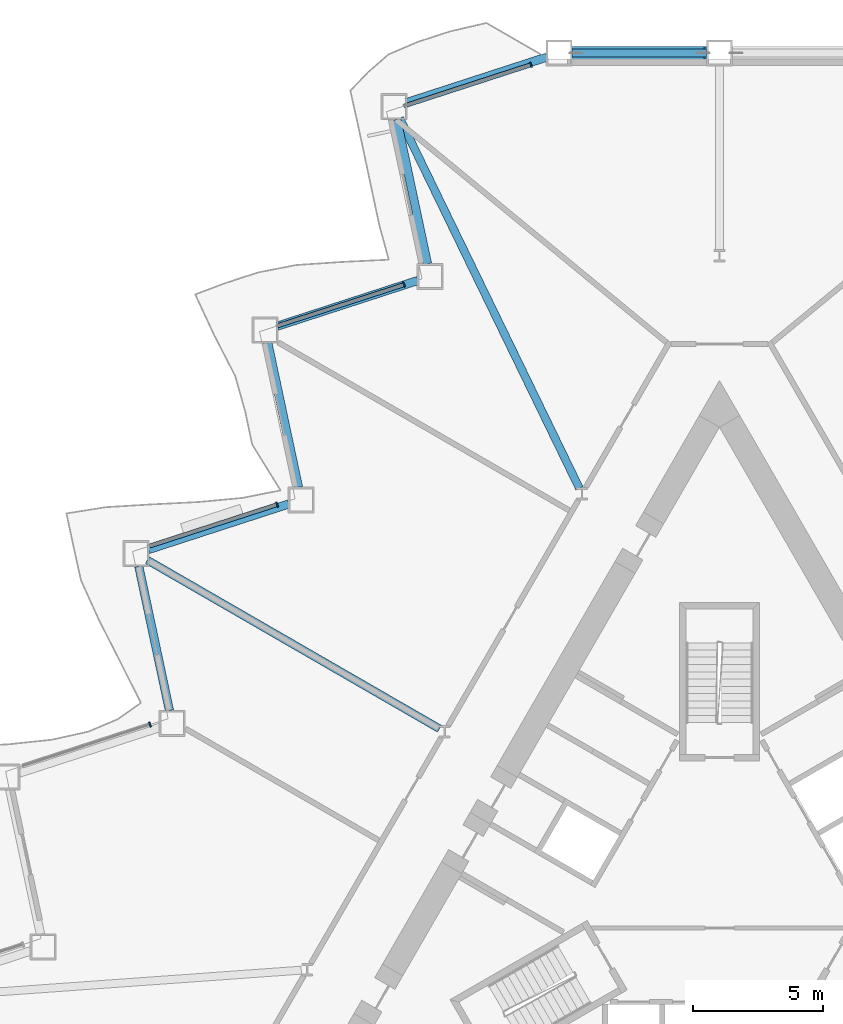
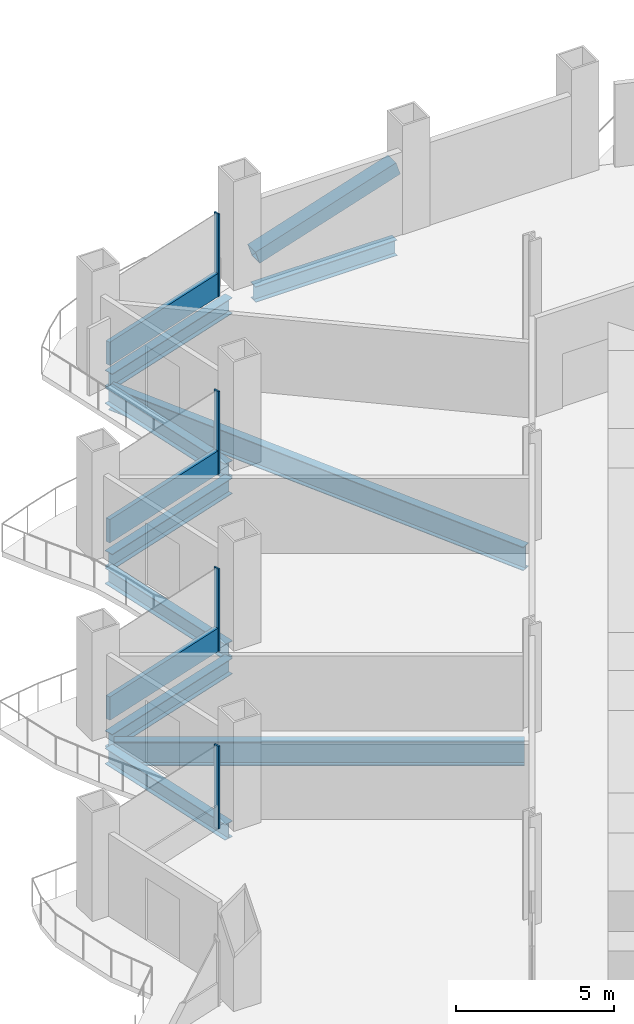
# One storey, part 6 of 20: 9 beams, 8 members, 4 elements without a shape of their own.
"""IFC4 building model written with IfcOpenShell, lengths in metres."""

from ifc_helpers import new_model, si_unit, direction, frame, origin, origin_2d, place, context, subcontext, project, spatial, rectangle, hollow_rectangle, i_section, extrude, material, layer, layer_set, material_profile, profile_set, type_object, element, aggregate, save


model = new_model("IFC4")

# Units and contexts
model_context = context("Model", 3, precision=1e-05, world=origin(), true_north=direction((0.0, 1.0)))
body_context = subcontext(model_context, "Body", "Model", "MODEL_VIEW")
ifc_project = project(units=[si_unit("LENGTHUNIT", "METRE"), si_unit("AREAUNIT", "SQUARE_METRE"), si_unit("VOLUMEUNIT", "CUBIC_METRE"), si_unit("PLANEANGLEUNIT", "RADIAN"), si_unit("MASSUNIT", "GRAM", prefix="KILO")], contexts=[model_context])

# Site, building, storey
site_placement = place(None, origin())
site = spatial("IfcSite", under=ifc_project, at=site_placement, CompositionType="ELEMENT")
building_placement = place(site_placement, origin())
building = spatial("IfcBuilding", under=site, at=building_placement, Name="Cormorant Prow Tower", CompositionType="ELEMENT")
storey_placement = place(building_placement, frame((0.0, 0.0, 55.199951171875)))
storey = spatial("IfcBuildingStorey", under=building, at=storey_placement, Name="L11", CompositionType="ELEMENT", Elevation=55.199951171875)

# Member
ifc_material_1 = material(Name="Structural steel ASTM A500 Gr C", Category="steel")
ifc_material_profile_1 = material_profile(ifc_material_1, hollow_rectangle(XDim=0.508056640625, YDim=0.508056640625, WallThickness=0.014892578125, at=origin_2d()), Name="HSS20x20x5/8")
ifc_profile_set_1 = profile_set([ifc_material_profile_1], Name="Structural steel ASTM A500 Gr C")
member_type_1 = type_object("IfcMemberType", Name="Chamfer brace HSS20x20x5/8", PredefinedType="BRACE", material=ifc_profile_set_1)
member_1_placement = place(storey_placement, frame((-5.65087890625, 32.233642578125, 0.767333984375), z_axis=(0.951774314198, 0.0, 0.306799046335), x_axis=(0.0, 1.0, 0.0)))
element("IfcMember", 1, at=member_1_placement, inside=storey, type_object=member_type_1, Name="Chamfer brace BR1 at N01 L11", PredefinedType="BRACE", context=body_context, shape_type="SweptSolid", body=[
    extrude(hollow_rectangle(XDim=0.508056640625, YDim=0.508056640625, WallThickness=0.014892578125, at=origin_2d()), origin(), (0.0, 0.0, 1.0), 5.39208984375),
])

# Curtain wall, member
ifc_material_2 = material(Name="Aluminium 6063-T6", Category="aluminium")
ifc_layer = layer(ifc_material_2, 0.199951171875)
ifc_layer_set = layer_set([ifc_layer], Name="Aluminium 6063-T6")
curtain_wall_type = type_object("IfcCurtainWallType", Name="Office unitised curtain wall 200", PredefinedType="NOTDEFINED", material=ifc_layer_set)
curtain_wall_1_placement = place(storey_placement, origin())
curtain_wall_1 = element("IfcCurtainWall", 2, at=curtain_wall_1_placement, inside=storey, type_object=curtain_wall_type, Name="Office curtain wall WNW00", PredefinedType="NOTDEFINED")
ifc_material_3 = material(Name="Aluminium 6063-T6", Category="aluminium")
ifc_material_profile_2 = material_profile(ifc_material_3, rectangle(XDim=0.199951171875, YDim=0.06005859375, at=origin_2d()), Name="Office mullion 60x200")
ifc_profile_set_2 = profile_set([ifc_material_profile_2], Name="Aluminium 6063-T6")
member_type_2 = type_object("IfcMemberType", Name="Office mullion 60x200", PredefinedType="MULLION", material=ifc_profile_set_2)
member_2_placement = place(storey_placement, frame((-7.25830078125, 31.78125, 0.0), z_axis=(0.0, 0.0, 1.0), x_axis=(0.309017079512, -0.951056488633, 0.0)))
member_2 = element("IfcMember", 3, at=member_2_placement, type_object=member_type_2, Name="Office mullion WNW00", PredefinedType="MULLION", context=body_context, shape_type="SweptSolid", body=[
    extrude(rectangle(XDim=0.199951171875, YDim=0.06005859375, at=origin_2d()), origin(), (0.0, 0.0, 1.0), 3.18896484375),
])

curtain_wall_2_placement = place(storey_placement, origin())
curtain_wall_2 = element("IfcCurtainWall", 4, at=curtain_wall_2_placement, inside=storey, type_object=curtain_wall_type, Name="Office curtain wall WNW02", PredefinedType="NOTDEFINED")
member_3_placement = place(storey_placement, frame((-12.14599609375, 23.315185546875, 0.0), z_axis=(0.0, 0.0, 1.0), x_axis=(0.309016897304, -0.951056547836, 0.0)))
member_3 = element("IfcMember", 5, at=member_3_placement, type_object=member_type_2, Name="Office mullion WNW02", PredefinedType="MULLION", context=body_context, shape_type="SweptSolid", body=[
    extrude(rectangle(XDim=0.199951171875, YDim=0.06005859375, at=origin_2d()), origin(), (0.0, 0.0, 1.0), 3.18896484375),
])

curtain_wall_3_placement = place(storey_placement, origin())
curtain_wall_3 = element("IfcCurtainWall", 6, at=curtain_wall_3_placement, inside=storey, type_object=curtain_wall_type, Name="Office curtain wall WNW04", PredefinedType="NOTDEFINED")
member_4_placement = place(storey_placement, frame((-17.03369140625, 14.849365234375, 0.0), z_axis=(0.0, 0.0, 1.0), x_axis=(0.309017079512, -0.951056488633, 0.0)))
member_4 = element("IfcMember", 7, at=member_4_placement, type_object=member_type_2, Name="Office mullion WNW04", PredefinedType="MULLION", context=body_context, shape_type="SweptSolid", body=[
    extrude(rectangle(XDim=0.199951171875, YDim=0.06005859375, at=origin_2d()), origin(), (0.0, 0.0, 1.0), 3.18896484375),
])

curtain_wall_4_placement = place(storey_placement, origin())
curtain_wall_4 = element("IfcCurtainWall", 8, at=curtain_wall_4_placement, inside=storey, type_object=curtain_wall_type, Name="Office curtain wall WNW06", PredefinedType="NOTDEFINED")
member_5_placement = place(storey_placement, frame((-21.921630859375, 6.383544921875, 0.0), z_axis=(0.0, 0.0, 1.0), x_axis=(0.309016941988, -0.951056533317, 0.0)))
member_5 = element("IfcMember", 9, at=member_5_placement, type_object=member_type_2, Name="Office mullion WNW06", PredefinedType="MULLION", context=body_context, shape_type="SweptSolid", body=[
    extrude(rectangle(XDim=0.199951171875, YDim=0.06005859375, at=origin_2d()), origin(), (0.0, 0.0, 1.0), 3.18896484375),
])
aggregate(curtain_wall_4, [member_5])

# Member
ifc_material_4 = material(Name="Terracotta", Category="masonry")
ifc_material_profile_3 = material_profile(ifc_material_4, rectangle(XDim=0.159912109375, YDim=0.89990234375, at=origin_2d()), Name="Office terracotta spandrel rail 160x900")
ifc_profile_set_3 = profile_set([ifc_material_profile_3], Name="Terracotta")
member_type_3 = type_object("IfcMemberType", Name="Office terracotta spandrel rail 160x900", PredefinedType="USERDEFINED", material=ifc_profile_set_3)
member_6_placement = place(storey_placement, frame((-7.286865234375, 31.77197265625, 0.449951171875), z_axis=(-0.951044599101, -0.309053669321, 0.0), x_axis=(0.309053669321, -0.951044599101, 0.0)))
member_6 = element("IfcMember", 10, at=member_6_placement, type_object=member_type_3, Name="Office spandrel rail WNW00", ObjectType="TRANSOM", PredefinedType="USERDEFINED", context=body_context, shape_type="SweptSolid", body=[
    extrude(rectangle(XDim=0.159912109375, YDim=0.89990234375, at=origin_2d()), origin(), (0.0, 0.0, 1.0), 5.111083984375),
])

aggregate(curtain_wall_1, [member_2, member_6])

member_7_placement = place(storey_placement, frame((-12.174560546875, 23.305908203125, 0.449951171875), z_axis=(-0.951063199163, -0.308996425865, 0.0), x_axis=(0.308996425865, -0.951063199163, 0.0)))
member_7 = element("IfcMember", 11, at=member_7_placement, type_object=member_type_3, Name="Office spandrel rail WNW02", ObjectType="TRANSOM", PredefinedType="USERDEFINED", context=body_context, shape_type="SweptSolid", body=[
    extrude(rectangle(XDim=0.159912109375, YDim=0.89990234375, at=origin_2d()), origin(), (0.0, 0.0, 1.0), 5.111328125),
])

aggregate(curtain_wall_2, [member_3, member_7])

member_8_placement = place(storey_placement, frame((-17.062255859375, 14.840087890625, 0.449951171875), z_axis=(-0.951063199163, -0.308996425865, 0.0), x_axis=(0.308996425865, -0.951063199163, 0.0)))
member_8 = element("IfcMember", 12, at=member_8_placement, type_object=member_type_3, Name="Office spandrel rail WNW04", ObjectType="TRANSOM", PredefinedType="USERDEFINED", context=body_context, shape_type="SweptSolid", body=[
    extrude(rectangle(XDim=0.159912109375, YDim=0.89990234375, at=origin_2d()), origin(), (0.0, 0.0, 1.0), 5.111328125),
])

aggregate(curtain_wall_3, [member_4, member_8])

# Beams
ifc_material_5 = material(Name="Structural steel ASTM A992 Gr 50", Category="steel")
ifc_material_profile_4 = material_profile(ifc_material_5, i_section(OverallWidth=0.3046875, OverallDepth=0.914794921875, WebThickness=0.0166015625, FlangeThickness=0.02587890625, at=origin_2d()), Name="W36x160")
ifc_profile_set_4 = profile_set([ifc_material_profile_4], Name="Structural steel ASTM A992 Gr 50")
beam_type_1 = type_object("IfcBeamType", Name="Radial floor beam W36x160", PredefinedType="BEAM", material=ifc_profile_set_4)
beam_1_placement = place(storey_placement, frame((-5.390625, 15.4775390625, -0.857421875), z_axis=(-0.436839436813, 0.899539496879, 0.0), x_axis=(-0.899539496879, -0.436839436813, 0.0)))
element("IfcBeam", 13, at=beam_1_placement, inside=storey, type_object=beam_type_1, Name="Radial floor beam FB1 2 L11", PredefinedType="BEAM", context=body_context, shape_type="SweptSolid", body=[
    extrude(i_section(OverallWidth=0.3046875, OverallDepth=0.914794921875, WebThickness=0.0166015625, FlangeThickness=0.02587890625, at=origin_2d()), origin(), (0.0, 0.0, 1.0), 15.83203125),
])
beam_2_placement = place(storey_placement, frame((-10.779541015625, 6.2236328125, -0.857421875), z_axis=(-0.866030278318, 0.499991556966, 0.0), x_axis=(-0.499991556966, -0.866030278318, 0.0)))
element("IfcBeam", 14, at=beam_2_placement, inside=storey, type_object=beam_type_1, Name="Radial floor beam FB1 3 L11", PredefinedType="BEAM", context=body_context, shape_type="SweptSolid", body=[
    extrude(i_section(OverallWidth=0.3046875, OverallDepth=0.914794921875, WebThickness=0.0166015625, FlangeThickness=0.02587890625, at=origin_2d()), origin(), (0.0, 0.0, 1.0), 12.984130859375),
])
ifc_material_6 = material(Name="Structural steel ASTM A992 Gr 50", Category="steel")
ifc_material_profile_5 = material_profile(ifc_material_6, i_section(OverallWidth=0.32373046875, OverallDepth=0.611083984375, WebThickness=0.0126953125, FlangeThickness=0.01904296875, at=origin_2d()), Name="W24x104")
ifc_profile_set_5 = profile_set([ifc_material_profile_5], Name="Structural steel ASTM A992 Gr 50")
beam_type_2 = type_object("IfcBeamType", Name="Spandrel beam W24x104", PredefinedType="SPANDREL", material=ifc_profile_set_5)
beam_3_placement = place(storey_placement, frame((-0.5, 32.233642578125, -0.70556640625), z_axis=(-1.0, 0.0, 0.0), x_axis=(0.0, -1.0, 0.0)))
element("IfcBeam", 15, at=beam_3_placement, inside=storey, type_object=beam_type_2, Name="Spandrel beam SB1 N01-WNW00 L11", PredefinedType="SPANDREL", context=body_context, shape_type="SweptSolid", body=[
    extrude(i_section(OverallWidth=0.32373046875, OverallDepth=0.611083984375, WebThickness=0.0126953125, FlangeThickness=0.01904296875, at=origin_2d()), origin(), (0.0, 0.0, 1.0), 5.169677734375),
])
beam_4_placement = place(storey_placement, frame((-6.645263671875, 32.0791015625, -0.70556640625), z_axis=(-0.951061849722, -0.309000579292, 0.0), x_axis=(0.309000579292, -0.951061849722, 0.0)))
element("IfcBeam", 16, at=beam_4_placement, inside=storey, type_object=beam_type_2, Name="Spandrel beam SB1 WNW00-WNW01 L11", PredefinedType="SPANDREL", context=body_context, shape_type="SweptSolid", body=[
    extrude(i_section(OverallWidth=0.32373046875, OverallDepth=0.611083984375, WebThickness=0.0126953125, FlangeThickness=0.01904296875, at=origin_2d()), origin(), (0.0, 0.0, 1.0), 5.682373046875),
])
beam_5_placement = place(storey_placement, frame((-12.421142578125, 29.6796875, -0.70556640625), z_axis=(0.207900376723, -0.97815000555, 0.0), x_axis=(0.97815000555, 0.207900376723, 0.0)))
element("IfcBeam", 17, at=beam_5_placement, inside=storey, type_object=beam_type_2, Name="Spandrel beam SB1 WNW01-WNW02 L11", PredefinedType="SPANDREL", context=body_context, shape_type="SweptSolid", body=[
    extrude(i_section(OverallWidth=0.32373046875, OverallDepth=0.611083984375, WebThickness=0.0126953125, FlangeThickness=0.01904296875, at=origin_2d()), origin(), (0.0, 0.0, 1.0), 5.6826171875),
])
beam_6_placement = place(storey_placement, frame((-11.611328125, 23.477783203125, -0.70556640625), z_axis=(-0.951049222751, -0.309039440696, 0.0), x_axis=(0.309039440696, -0.951049222751, 0.0)))
element("IfcBeam", 18, at=beam_6_placement, inside=storey, type_object=beam_type_2, Name="Spandrel beam SB1 WNW02-WNW03 L11", PredefinedType="SPANDREL", context=body_context, shape_type="SweptSolid", body=[
    extrude(i_section(OverallWidth=0.32373046875, OverallDepth=0.611083984375, WebThickness=0.0126953125, FlangeThickness=0.01904296875, at=origin_2d()), origin(), (0.0, 0.0, 1.0), 5.682373046875),
])
beam_7_placement = place(storey_placement, frame((-17.38720703125, 21.078125, -0.70556640625), z_axis=(0.207900376723, -0.97815000555, 0.0), x_axis=(0.97815000555, 0.207900376723, 0.0)))
element("IfcBeam", 19, at=beam_7_placement, inside=storey, type_object=beam_type_2, Name="Spandrel beam SB1 WNW03-WNW04 L11", PredefinedType="SPANDREL", context=body_context, shape_type="SweptSolid", body=[
    extrude(i_section(OverallWidth=0.32373046875, OverallDepth=0.611083984375, WebThickness=0.0126953125, FlangeThickness=0.01904296875, at=origin_2d()), origin(), (0.0, 0.0, 1.0), 5.6826171875),
])
beam_8_placement = place(storey_placement, frame((-16.577392578125, 14.876220703125, -0.70556640625), z_axis=(-0.951049222751, -0.309039440696, 0.0), x_axis=(0.309039440696, -0.951049222751, 0.0)))
element("IfcBeam", 20, at=beam_8_placement, inside=storey, type_object=beam_type_2, Name="Spandrel beam SB1 WNW04-WNW05 L11", PredefinedType="SPANDREL", context=body_context, shape_type="SweptSolid", body=[
    extrude(i_section(OverallWidth=0.32373046875, OverallDepth=0.611083984375, WebThickness=0.0126953125, FlangeThickness=0.01904296875, at=origin_2d()), origin(), (0.0, 0.0, 1.0), 5.682373046875),
])
beam_9_placement = place(storey_placement, frame((-22.353271484375, 12.4765625, -0.70556640625), z_axis=(0.207900376723, -0.97815000555, 0.0), x_axis=(0.97815000555, 0.207900376723, 0.0)))
element("IfcBeam", 21, at=beam_9_placement, inside=storey, type_object=beam_type_2, Name="Spandrel beam SB1 WNW05-WNW06 L11", PredefinedType="SPANDREL", context=body_context, shape_type="SweptSolid", body=[
    extrude(i_section(OverallWidth=0.32373046875, OverallDepth=0.611083984375, WebThickness=0.0126953125, FlangeThickness=0.01904296875, at=origin_2d()), origin(), (0.0, 0.0, 1.0), 5.6826171875),
])

save(model, "model.ifc")
